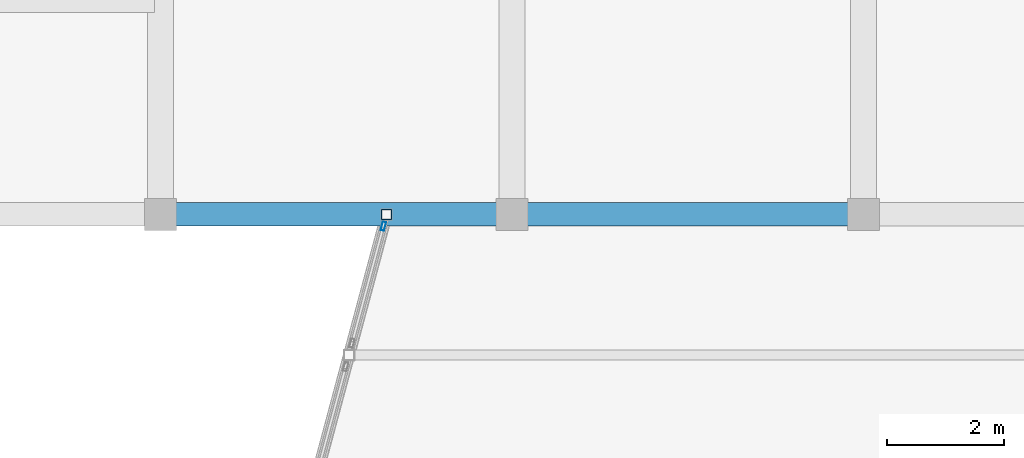
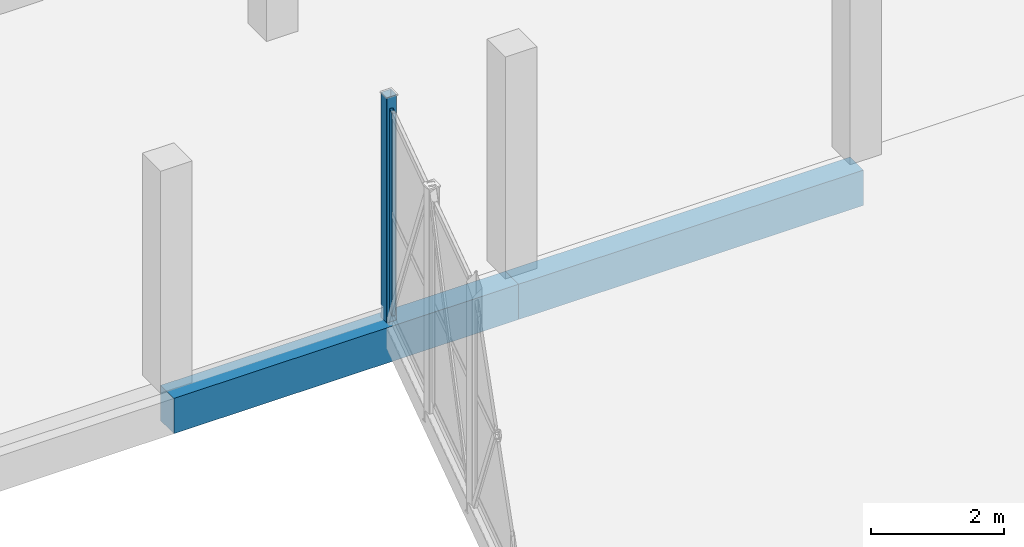
# One storey, part 89 of 127: 2 beams, 2 members, 1 element without a shape of its own.
"""IFC4 building model written with IfcOpenShell, lengths in metres."""

from ifc_helpers import new_model, si_unit, direction, frame, origin, origin_2d, place, context, subcontext, project, spatial, rectangle, hollow_rectangle, extrude, material, layer, layer_set, material_profile, profile_set, type_object, element, aggregate, save


model = new_model("IFC4")

# Units and contexts
model_context = context("Model", 3, precision=1e-05, world=origin(), true_north=direction((0.0, 1.0)))
body_context = subcontext(model_context, "Body", "Model", "MODEL_VIEW")
ifc_project = project(units=[si_unit("LENGTHUNIT", "METRE"), si_unit("AREAUNIT", "SQUARE_METRE"), si_unit("VOLUMEUNIT", "CUBIC_METRE"), si_unit("PLANEANGLEUNIT", "RADIAN"), si_unit("MASSUNIT", "GRAM", prefix="KILO")], contexts=[model_context])

# Site, building, storey
site_placement = place(None, origin())
site = spatial("IfcSite", under=ifc_project, at=site_placement, CompositionType="ELEMENT")
building_placement = place(site_placement, origin())
building = spatial("IfcBuilding", under=site, at=building_placement, Name="Dunvalen Ferry Terminal", CompositionType="ELEMENT")
storey_placement = place(building_placement, frame((0.0, 0.0, 5.760009765625)))
storey = spatial("IfcBuildingStorey", under=building, at=storey_placement, Name="L01", CompositionType="ELEMENT", Elevation=5.760009765625)

# Curtain wall, member
ifc_material_1 = material(Name="Anodised marine aluminium and solar-control glazing", Category="aluminium")
ifc_layer = layer(ifc_material_1, 0.159912109375, Name="Anodised marine aluminium and solar-control glazing")
ifc_layer_set = layer_set([ifc_layer], Name="Anodised marine aluminium and solar-control glazing")
curtain_wall_type = type_object("IfcCurtainWallType", Name="ENV-CW-SYS-07", PredefinedType="NOTDEFINED", material=ifc_layer_set)
curtain_wall_placement = place(storey_placement, origin())
curtain_wall = element("IfcCurtainWall", 1, at=curtain_wall_placement, inside=storey, type_object=curtain_wall_type, Name="L01 Curtain Wall CW-BRG2-S1-6", PredefinedType="NOTDEFINED")
ifc_material_2 = material(Name="Anodised marine aluminium EN AW-6063 T6", Category="aluminium")
ifc_material_profile_1 = material_profile(ifc_material_2, hollow_rectangle(XDim=0.06005859375, YDim=0.14990234375, WallThickness=0.00341796875, InnerFilletRadius=0.00341796875, OuterFilletRadius=0.007080078125, at=origin_2d()), Name="Anodised marine aluminium EN AW-6063 T6")
ifc_profile_set_1 = profile_set([ifc_material_profile_1], Name="Anodised marine aluminium EN AW-6063 T6")
member_type_1 = type_object("IfcMemberType", Name="ENV-CW-MUL-3", PredefinedType="MULLION", material=ifc_profile_set_1)
member_1_placement = place(storey_placement, frame((129.804443359375, 100.59814453125, 0.0), z_axis=(0.0, 0.0, 1.0), x_axis=(-0.9659228666, 0.258830090561, 0.0)))
member_1 = element("IfcMember", 2, at=member_1_placement, type_object=member_type_1, Name="CW-07 mullion 2", PredefinedType="MULLION", context=body_context, shape_type="SweptSolid", body=[
    extrude(hollow_rectangle(XDim=0.06005859375, YDim=0.14990234375, WallThickness=0.00341796875, InnerFilletRadius=0.00341796875, OuterFilletRadius=0.007080078125, at=origin_2d()), origin(), (0.0, 0.0, 1.0), 3.719970703125),
])
aggregate(curtain_wall, [member_1])

# Beams
ifc_material_3 = material(Name="Concrete C40/50", Category="concrete")
ifc_material_profile_2 = material_profile(ifc_material_3, rectangle(XDim=0.39990234375, YDim=0.64990234375, at=origin_2d()), Name="Concrete C40/50")
ifc_profile_set_2 = profile_set([ifc_material_profile_2], Name="Concrete C40/50")
beam_type = type_object("IfcBeamType", Name="STR-BM-RCB650", PredefinedType="BEAM", material=ifc_profile_set_2)
for number, where, z_axis, x_axis, name in (
    (3, (126.0, 100.800048828125, -0.56494140625), (1.0, 0.0, 0.0), (0.0, 1.0, 0.0), "L01 V3B2 Primary Beam X-002"),
    (4, (132.0, 100.800048828125, -0.56494140625), (1.0, 0.0, 0.0), (0.0, 1.0, 0.0), "L01 V3B2 Primary Beam X-003"),
):
    element("IfcBeam", number, at=place(storey_placement, frame(where, z_axis=z_axis, x_axis=x_axis)), inside=storey, type_object=beam_type, Name=name, PredefinedType="BEAM", context=body_context, shape_type="SweptSolid", body=[
        extrude(rectangle(XDim=0.39990234375, YDim=0.64990234375, at=origin_2d()), origin(), (0.0, 0.0, 1.0), 6.0),
    ])

# Member
ifc_material_4 = material(Name="Steel S355", Category="steel")
ifc_material_profile_3 = material_profile(ifc_material_4, hollow_rectangle(XDim=0.179931640625, YDim=0.179931640625, WallThickness=0.008056640625, InnerFilletRadius=0.008056640625, OuterFilletRadius=0.01611328125, at=origin_2d()), Name="Steel S355")
ifc_profile_set_3 = profile_set([ifc_material_profile_3], Name="Steel S355")
member_type_2 = type_object("IfcMemberType", Name="STR-MB-SHS180", PredefinedType="STRUT", material=ifc_profile_set_3)
member_2_placement = place(storey_placement, frame((129.8583984375, 100.800048828125, -0.43994140625), z_axis=(0.0, 0.0, 1.0), x_axis=(1.0, 0.0, 0.0)))
element("IfcMember", 5, at=member_2_placement, inside=storey, type_object=member_type_2, Name="Boarding Bridge 2 Truss Post 1.6", PredefinedType="STRUT", context=body_context, shape_type="SweptSolid", body=[
    extrude(hollow_rectangle(XDim=0.179931640625, YDim=0.179931640625, WallThickness=0.008056640625, InnerFilletRadius=0.008056640625, OuterFilletRadius=0.01611328125, at=origin_2d()), origin(), (0.0, 0.0, 1.0), 4.33984375),
])

save(model, "model.ifc")
